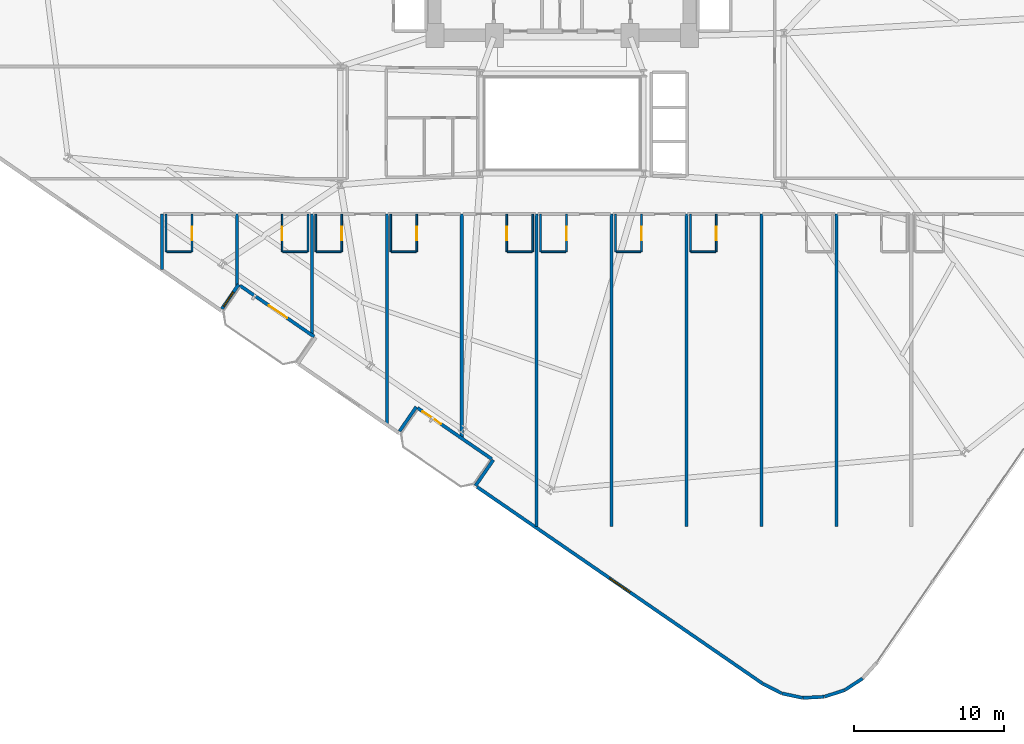
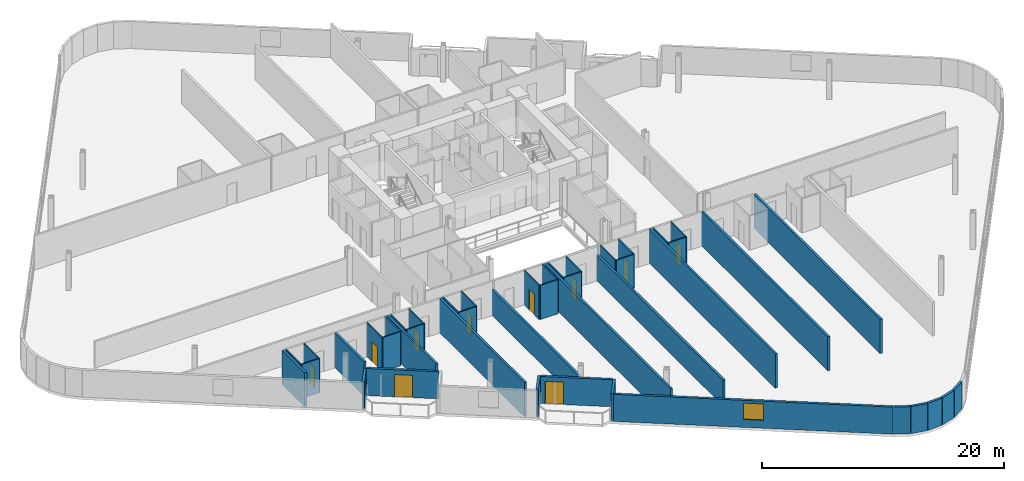
# One storey, part 17 of 25: 45 walls, 10 doors, 2 windows, 12 openings.
"""IFC4 building model written with IfcOpenShell, lengths in metres."""

from ifc_helpers import new_model, si_unit, direction, frame, frame_2d, origin, place, context, subcontext, project, spatial, rectangle, extrude, material, layer, layer_set, type_object, element, fill, save


model = new_model("IFC4")

# Units and contexts
model_context = context("Model", 3, precision=1e-05, world=origin(), true_north=direction((0.0, 1.0)))
body_context = subcontext(model_context, "Body", "Model", "MODEL_VIEW")
ifc_project = project(units=[si_unit("LENGTHUNIT", "METRE"), si_unit("AREAUNIT", "SQUARE_METRE"), si_unit("VOLUMEUNIT", "CUBIC_METRE"), si_unit("PLANEANGLEUNIT", "RADIAN"), si_unit("MASSUNIT", "GRAM", prefix="KILO")], contexts=[model_context])

# Site, building, storey
site_placement = place(None, origin())
site = spatial("IfcSite", under=ifc_project, at=site_placement, CompositionType="ELEMENT")
building_placement = place(site_placement, origin())
building = spatial("IfcBuilding", under=site, at=building_placement, Name="Varnelok Gate Tower", CompositionType="ELEMENT")
storey_placement = place(building_placement, frame((0.0, 0.0, 34.39990234375)))
storey = spatial("IfcBuildingStorey", under=building, at=storey_placement, Name="L07", CompositionType="ELEMENT", Elevation=34.39990234375)

# Wall, opening, door
ifc_material_1 = material(Name="Concrete C45/55", Category="concrete")
ifc_layer_1 = layer(ifc_material_1, 0.219970703125)
ifc_layer_set_1 = layer_set([ifc_layer_1], Name="Concrete C45/55")
wall_type_1 = type_object("IfcWallType", Name="EW-BALC-220", PredefinedType="SOLIDWALL", material=ifc_layer_set_1)
wall_1_placement = place(storey_placement, frame((22.642822265625, 8.667236328125, 0.0), z_axis=(0.0, 0.0, 1.0), x_axis=(-0.823534636215, 0.567265989598, 0.0)))
wall_1 = element("IfcWall", 1, at=wall_1_placement, inside=storey, type_object=wall_type_1, Name="L07 South Terrace Envelope Wall 1", PredefinedType="SOLIDWALL", context=body_context, shape_type="SweptSolid", body=[
    extrude(rectangle(XDim=6.0, YDim=0.219970703125, at=frame_2d((3.0, 0.0))), origin(), (0.0, 0.0, 1.0), 2.72998046875),
])
opening_1_placement = place(wall_1_placement, frame((2.176025390625, 0.0, 0.0)))
opening_1 = element("IfcOpeningElement", 2, at=opening_1_placement, cuts=wall_1, Name="Opening BD-1", PredefinedType="OPENING", context=body_context, shape_type="SweptSolid", body=[
    extrude(rectangle(XDim=1.5, YDim=2.25, at=frame_2d((0.75, 1.125))), frame((0.0, 0.119873046875, 0.0), z_axis=(0.0, -1.0, 0.0), x_axis=(1.0, 0.0, 0.0)), (0.0, 0.0, 1.0), 0.239990234375),
])
ifc_material_2 = material(Name="Anodized Aluminum Alloy 6063-T6", Category="aluminium")
door_type_1 = type_object("IfcDoorType", Name="DR-EXT-BALC1500", OperationType="NOTDEFINED", PredefinedType="DOOR", material=ifc_material_2)
door_1_placement = place(opening_1_placement, origin())
door_1 = element("IfcDoor", 3, at=door_1_placement, inside=storey, type_object=door_type_1, Name="L07 South Balcony Glazed Door 1", OperationType="SINGLE_SWING_RIGHT", OverallHeight=2.25, OverallWidth=1.5, PredefinedType="DOOR", context=body_context, shape_type="SweptSolid", body=[
    extrude(rectangle(XDim=1.5, YDim=2.25, at=frame_2d((0.75, 1.125))), frame((0.0, 0.02490234375, 0.0), z_axis=(0.0, -1.0, 0.0), x_axis=(1.0, 0.0, 0.0)), (0.0, 0.0, 1.0), 0.050048828125),
])
fill(opening_1, door_1)

wall_2_placement = place(storey_placement, frame((34.501708984375, 0.49853515625, 0.0), z_axis=(0.0, 0.0, 1.0), x_axis=(-0.823534636215, 0.567265989598, 0.0)))
wall_2 = element("IfcWall", 4, at=wall_2_placement, inside=storey, type_object=wall_type_1, Name="L07 South Terrace Envelope Wall 2", PredefinedType="SOLIDWALL", context=body_context, shape_type="SweptSolid", body=[
    extrude(rectangle(XDim=6.0, YDim=0.219970703125, at=frame_2d((3.0, 0.0))), origin(), (0.0, 0.0, 1.0), 2.72998046875),
])
opening_2_placement = place(wall_2_placement, frame((4.10009765625, 0.0, 0.0)))
opening_2 = element("IfcOpeningElement", 5, at=opening_2_placement, cuts=wall_2, Name="Opening BD-1", PredefinedType="OPENING", context=body_context, shape_type="SweptSolid", body=[
    extrude(rectangle(XDim=1.5, YDim=2.25, at=frame_2d((0.75, 1.125))), frame((0.0, 0.119873046875, 0.0), z_axis=(0.0, -1.0, 0.0), x_axis=(1.0, 0.0, 0.0)), (0.0, 0.0, 1.0), 0.239990234375),
])
door_2_placement = place(opening_2_placement, origin())
door_2 = element("IfcDoor", 6, at=door_2_placement, inside=storey, type_object=door_type_1, Name="L07 South Balcony Glazed Door 2", OperationType="SINGLE_SWING_LEFT", OverallHeight=2.25, OverallWidth=1.5, PredefinedType="DOOR", context=body_context, shape_type="SweptSolid", body=[
    extrude(rectangle(XDim=1.5, YDim=2.25, at=frame_2d((0.75, 1.125))), frame((0.0, 0.02490234375, 0.0), z_axis=(0.0, -1.0, 0.0), x_axis=(1.0, 0.0, 0.0)), (0.0, 0.0, 1.0), 0.050048828125),
])
fill(opening_2, door_2)

# Wall, opening, window
wall_3_placement = place(storey_placement, frame((16.48828125, 10.5205078125, 0.0), z_axis=(0.0, 0.0, 1.0), x_axis=(0.567131976434, 0.823626930902, 0.0)))
wall_3 = element("IfcWall", 7, at=wall_3_placement, inside=storey, type_object=wall_type_1, Name="L07 Perimeter Facade Closure Wall 8", PredefinedType="SOLIDWALL", context=body_context, shape_type="SweptSolid", body=[
    extrude(rectangle(XDim=1.97509765625, YDim=0.219970703125, at=frame_2d((0.987548828125, 0.0))), origin(), (0.0, 0.0, 1.0), 2.72998046875),
])
opening_3_placement = place(wall_3_placement, frame((0.199951171875, 0.0, 0.800048828125)))
opening_3 = element("IfcOpeningElement", 8, at=opening_3_placement, cuts=wall_3, Name="Opening WN8", PredefinedType="OPENING", context=body_context, shape_type="SweptSolid", body=[
    extrude(rectangle(XDim=1.14990234375, YDim=1.39990234375, at=frame_2d((0.574951171875, 0.699951171875))), frame((0.0, 0.119873046875, 0.0), z_axis=(0.0, -1.0, 0.0), x_axis=(1.0, 0.0, 0.0)), (0.0, 0.0, 1.0), 0.239990234375),
])
ifc_material_3 = material(Name="Low-E Laminated Double Glazing IGU", Category="glass")
window_type_1 = type_object("IfcWindowType", Name="WN-BED-1150", PartitioningType="SINGLE_PANEL", PredefinedType="WINDOW", material=ifc_material_3)
window_1_placement = place(opening_3_placement, origin())
window_1 = element("IfcWindow", 9, at=window_1_placement, inside=storey, type_object=window_type_1, Name="L07 Bedroom Vision Window 5", OverallHeight=1.39990234375, OverallWidth=1.14990234375, PartitioningType="SINGLE_PANEL", PredefinedType="WINDOW", context=body_context, shape_type="SweptSolid", body=[
    extrude(rectangle(XDim=1.14990234375, YDim=1.39990234375, at=frame_2d((0.574951171875, 0.699951171875))), frame((0.0, 0.030029296875, 0.0), z_axis=(0.0, -1.0, 0.0), x_axis=(1.0, 0.0, 0.0)), (0.0, 0.0, 1.0), 0.06005859375),
])
fill(opening_3, window_1)

# Walls
wall_4_placement = place(storey_placement, frame((28.34716796875, 2.351806640625, 0.0), z_axis=(0.0, 0.0, 1.0), x_axis=(0.567215821234, 0.823569190865, 0.0)))
element("IfcWall", 10, at=wall_4_placement, inside=storey, type_object=wall_type_1, Name="L07 Perimeter Facade Closure Wall 11", PredefinedType="SOLIDWALL", context=body_context, shape_type="SweptSolid", body=[
    extrude(rectangle(XDim=1.97509765625, YDim=0.219970703125, at=frame_2d((0.987548828125, 0.0))), origin(), (0.0, 0.0, 1.0), 2.72998046875),
])
wall_5_placement = place(storey_placement, frame((34.606201171875, 0.438720703125, 0.0), z_axis=(0.0, 0.0, 1.0), x_axis=(-0.567219383419, -0.823566737474, 0.0)))
element("IfcWall", 11, at=wall_5_placement, inside=storey, type_object=wall_type_1, Name="L07 Perimeter Facade Closure Wall 12", PredefinedType="SOLIDWALL", context=body_context, shape_type="SweptSolid", body=[
    extrude(rectangle(XDim=2.10009765625, YDim=0.219970703125, at=frame_2d((1.050048828125, 0.0))), origin(), (0.0, 0.0, 1.0), 2.72998046875),
])

# Wall, opening, window
wall_6_placement = place(storey_placement, frame((33.517822265625, -1.36181640625, 0.0), z_axis=(0.0, 0.0, 1.0), x_axis=(0.82353935489, -0.567259139148, 0.0)))
wall_6 = element("IfcWall", 12, at=wall_6_placement, inside=storey, type_object=wall_type_1, Name="L07 Perimeter Facade Closure Wall 13", PredefinedType="SOLIDWALL", context=body_context, shape_type="SweptSolid", body=[
    extrude(rectangle(XDim=23.14697265625, YDim=0.219970703125, at=frame_2d((11.573486328125, 0.0))), origin(), (0.0, 0.0, 1.0), 2.72998046875),
])
opening_4_placement = place(wall_6_placement, frame((10.74853515625, 0.0, 0.800048828125)))
opening_4 = element("IfcOpeningElement", 13, at=opening_4_placement, cuts=wall_6, Name="Opening WN3", PredefinedType="OPENING", context=body_context, shape_type="SweptSolid", body=[
    extrude(rectangle(XDim=1.64990234375, YDim=1.64990234375, at=frame_2d((0.824951171875, 0.824951171875))), frame((0.0, 0.119873046875, 0.0), z_axis=(0.0, -1.0, 0.0), x_axis=(1.0, 0.0, 0.0)), (0.0, 0.0, 1.0), 0.239990234375),
])
window_type_2 = type_object("IfcWindowType", Name="WN-HTL-1650", PartitioningType="SINGLE_PANEL", PredefinedType="WINDOW", material=ifc_material_3)
window_2_placement = place(opening_4_placement, origin())
window_2 = element("IfcWindow", 14, at=window_2_placement, inside=storey, type_object=window_type_2, Name="L07 Perimeter Vision Window 13", OverallHeight=1.64990234375, OverallWidth=1.64990234375, PartitioningType="SINGLE_PANEL", PredefinedType="WINDOW", context=body_context, shape_type="SweptSolid", body=[
    extrude(rectangle(XDim=1.64990234375, YDim=1.64990234375, at=frame_2d((0.824951171875, 0.824951171875))), frame((0.0, 0.030029296875, 0.0), z_axis=(0.0, -1.0, 0.0), x_axis=(1.0, 0.0, 0.0)), (0.0, 0.0, 1.0), 0.06005859375),
])
fill(opening_4, window_2)

# Walls
wall_7_placement = place(storey_placement, frame((52.602783203125, -14.503662109375, 0.0), z_axis=(0.0, 0.0, 1.0), x_axis=(0.89052335693, -0.45493752402, 0.0)))
element("IfcWall", 15, at=wall_7_placement, inside=storey, type_object=wall_type_1, Name="L07 Perimeter Facade Closure Wall 14", PredefinedType="SOLIDWALL", context=body_context, shape_type="SweptSolid", body=[
    extrude(rectangle(XDim=1.4130859375, YDim=0.219970703125, at=frame_2d((0.70654296875, 0.0))), origin(), (0.0, 0.0, 1.0), 2.72998046875),
])
for number, where, z_axis, x_axis, name in (
    (16, (53.8857421875, -15.15185546875, 0.0), (0.0, 0.0, 1.0), (0.977952168511, -0.208829011645, 0.0), "L07 Perimeter Facade Closure Wall 15"),
    (17, (55.284912109375, -15.444091796875, 0.0), (0.0, 0.0, 1.0), (0.998685611917, 0.051254741739, 0.0), "L07 Perimeter Facade Closure Wall 16"),
    (18, (56.712158203125, -15.364501953125, 0.0), (0.0, 0.0, 1.0), (0.95132472924, 0.308190297603, 0.0), "L07 Perimeter Facade Closure Wall 17"),
    (19, (58.070068359375, -14.91796875, 0.0), (0.0, 0.0, 1.0), (0.839248413468, 0.543748195851, 0.0), "L07 Perimeter Facade Closure Wall 18"),
):
    element("IfcWall", number, at=place(storey_placement, frame(where, z_axis=z_axis, x_axis=x_axis)), inside=storey, type_object=wall_type_1, Name=name, PredefinedType="SOLIDWALL", context=body_context, shape_type="SweptSolid", body=[
        extrude(rectangle(XDim=1.4052734375, YDim=0.219970703125, at=frame_2d((0.70263671875, 0.0))), origin(), (0.0, 0.0, 1.0), 2.72998046875),
    ])
ifc_material_4 = material(Name="Gypsum Plasterboard Acoustic Partition", Category="gypsum")
ifc_layer_2 = layer(ifc_material_4, 0.114990234375)
ifc_layer_set_2 = layer_set([ifc_layer_2], Name="Gypsum Plasterboard Acoustic Partition")
wall_type_2 = type_object("IfcWallType", Name="PW-ENS-125", PredefinedType="PARTITIONING", material=ifc_layer_set_2)
wall_8_placement = place(storey_placement, frame((12.800048828125, 14.330078125, 0.0), z_axis=(0.0, 0.0, 1.0), x_axis=(1.0, 0.0, 0.0)))
element("IfcWall", 20, at=wall_8_placement, inside=storey, type_object=wall_type_2, Name="Interior Partition", PredefinedType="PARTITIONING", context=body_context, shape_type="SweptSolid", body=[
    extrude(rectangle(XDim=1.64990234375, YDim=0.114990234375, at=frame_2d((0.824951171875, 0.0))), origin(), (0.0, 0.0, 1.0), 3.4501953125),
])

# Wall, opening, door
wall_9_placement = place(storey_placement, frame((14.489990234375, 14.330078125, 0.0), z_axis=(0.0, 0.0, 1.0), x_axis=(0.0, 1.0, 0.0)))
wall_9 = element("IfcWall", 21, at=wall_9_placement, inside=storey, type_object=wall_type_2, Name="Interior Partition", PredefinedType="PARTITIONING", context=body_context, shape_type="SweptSolid", body=[
    extrude(rectangle(XDim=2.52001953125, YDim=0.114990234375, at=frame_2d((1.260009765625, 0.0))), origin(), (0.0, 0.0, 1.0), 3.4501953125),
])
opening_5_placement = place(wall_9_placement, frame((0.760009765625, 0.0, 0.0)))
opening_5 = element("IfcOpeningElement", 22, at=opening_5_placement, cuts=wall_9, Name="Opening D-WC", PredefinedType="OPENING", context=body_context, shape_type="SweptSolid", body=[
    extrude(rectangle(XDim=0.89990234375, YDim=2.050048828125, at=frame_2d((0.449951171875, 1.02490234375))), frame((0.0, 0.0673828125, 0.0), z_axis=(0.0, -1.0, 0.0), x_axis=(1.0, 0.0, 0.0)), (0.0, 0.0, 1.0), 0.135009765625),
])
ifc_material_5 = material(Name="Engineered Hardwood Timber", Category="wood")
door_type_2 = type_object("IfcDoorType", Name="DR-BATH-900", OperationType="NOTDEFINED", PredefinedType="DOOR", material=ifc_material_5)
door_3_placement = place(opening_5_placement, origin())
door_3 = element("IfcDoor", 23, at=door_3_placement, inside=storey, type_object=door_type_2, Name="L07 Guest En-Suite 02 Door", OperationType="SINGLE_SWING_LEFT", OverallHeight=2.050048828125, OverallWidth=0.89990234375, PredefinedType="DOOR", context=body_context, shape_type="SweptSolid", body=[
    extrude(rectangle(XDim=0.89990234375, YDim=2.050048828125, at=frame_2d((0.449951171875, 1.02490234375))), frame((0.0, 0.02490234375, 0.0), z_axis=(0.0, -1.0, 0.0), x_axis=(1.0, 0.0, 0.0)), (0.0, 0.0, 1.0), 0.050048828125),
])
fill(opening_5, door_3)

# Walls
wall_10_placement = place(storey_placement, frame((12.760009765625, 14.330078125, 0.0), z_axis=(0.0, 0.0, 1.0), x_axis=(0.0, 1.0, 0.0)))
element("IfcWall", 24, at=wall_10_placement, inside=storey, type_object=wall_type_2, Name="Interior Partition", PredefinedType="PARTITIONING", context=body_context, shape_type="SweptSolid", body=[
    extrude(rectangle(XDim=2.52001953125, YDim=0.114990234375, at=frame_2d((1.260009765625, 0.0))), origin(), (0.0, 0.0, 1.0), 3.4501953125),
])
wall_11_placement = place(storey_placement, frame((20.550048828125, 14.330078125, 0.0), z_axis=(0.0, 0.0, 1.0), x_axis=(1.0, 0.0, 0.0)))
element("IfcWall", 25, at=wall_11_placement, inside=storey, type_object=wall_type_2, Name="Interior Partition", PredefinedType="PARTITIONING", context=body_context, shape_type="SweptSolid", body=[
    extrude(rectangle(XDim=1.64990234375, YDim=0.114990234375, at=frame_2d((0.824951171875, 0.0))), origin(), (0.0, 0.0, 1.0), 3.4501953125),
])

# Wall, opening, door
wall_12_placement = place(storey_placement, frame((20.510009765625, 14.330078125, 0.0), z_axis=(0.0, 0.0, 1.0), x_axis=(0.0, 1.0, 0.0)))
wall_12 = element("IfcWall", 26, at=wall_12_placement, inside=storey, type_object=wall_type_2, Name="Interior Partition", PredefinedType="PARTITIONING", context=body_context, shape_type="SweptSolid", body=[
    extrude(rectangle(XDim=2.52001953125, YDim=0.114990234375, at=frame_2d((1.260009765625, 0.0))), origin(), (0.0, 0.0, 1.0), 3.4501953125),
])
opening_6_placement = place(wall_12_placement, frame((0.760009765625, 0.0, 0.0)))
opening_6 = element("IfcOpeningElement", 27, at=opening_6_placement, cuts=wall_12, Name="Opening D-WC", PredefinedType="OPENING", context=body_context, shape_type="SweptSolid", body=[
    extrude(rectangle(XDim=0.89990234375, YDim=2.050048828125, at=frame_2d((0.449951171875, 1.02490234375))), frame((0.0, 0.0673828125, 0.0), z_axis=(0.0, -1.0, 0.0), x_axis=(1.0, 0.0, 0.0)), (0.0, 0.0, 1.0), 0.135009765625),
])
door_4_placement = place(opening_6_placement, origin())
door_4 = element("IfcDoor", 28, at=door_4_placement, inside=storey, type_object=door_type_2, Name="L07 Guest En-Suite 03 Door", OperationType="SINGLE_SWING_RIGHT", OverallHeight=2.050048828125, OverallWidth=0.89990234375, PredefinedType="DOOR", context=body_context, shape_type="SweptSolid", body=[
    extrude(rectangle(XDim=0.89990234375, YDim=2.050048828125, at=frame_2d((0.449951171875, 1.02490234375))), frame((0.0, 0.02490234375, 0.0), z_axis=(0.0, -1.0, 0.0), x_axis=(1.0, 0.0, 0.0)), (0.0, 0.0, 1.0), 0.050048828125),
])
fill(opening_6, door_4)

# Walls
wall_13_placement = place(storey_placement, frame((22.239990234375, 14.330078125, 0.0), z_axis=(0.0, 0.0, 1.0), x_axis=(0.0, 1.0, 0.0)))
element("IfcWall", 29, at=wall_13_placement, inside=storey, type_object=wall_type_2, Name="Interior Partition", PredefinedType="PARTITIONING", context=body_context, shape_type="SweptSolid", body=[
    extrude(rectangle(XDim=2.52001953125, YDim=0.114990234375, at=frame_2d((1.260009765625, 0.0))), origin(), (0.0, 0.0, 1.0), 3.4501953125),
])
wall_14_placement = place(storey_placement, frame((22.800048828125, 14.330078125, 0.0), z_axis=(0.0, 0.0, 1.0), x_axis=(1.0, 0.0, 0.0)))
element("IfcWall", 30, at=wall_14_placement, inside=storey, type_object=wall_type_2, Name="Interior Partition", PredefinedType="PARTITIONING", context=body_context, shape_type="SweptSolid", body=[
    extrude(rectangle(XDim=1.64990234375, YDim=0.114990234375, at=frame_2d((0.824951171875, 0.0))), origin(), (0.0, 0.0, 1.0), 3.4501953125),
])

# Wall, opening, door
wall_15_placement = place(storey_placement, frame((24.489990234375, 14.330078125, 0.0), z_axis=(0.0, 0.0, 1.0), x_axis=(0.0, 1.0, 0.0)))
wall_15 = element("IfcWall", 31, at=wall_15_placement, inside=storey, type_object=wall_type_2, Name="Interior Partition", PredefinedType="PARTITIONING", context=body_context, shape_type="SweptSolid", body=[
    extrude(rectangle(XDim=2.52001953125, YDim=0.114990234375, at=frame_2d((1.260009765625, 0.0))), origin(), (0.0, 0.0, 1.0), 3.4501953125),
])
opening_7_placement = place(wall_15_placement, frame((0.760009765625, 0.0, 0.0)))
opening_7 = element("IfcOpeningElement", 32, at=opening_7_placement, cuts=wall_15, Name="Opening D-WC", PredefinedType="OPENING", context=body_context, shape_type="SweptSolid", body=[
    extrude(rectangle(XDim=0.89990234375, YDim=2.050048828125, at=frame_2d((0.449951171875, 1.02490234375))), frame((0.0, 0.0673828125, 0.0), z_axis=(0.0, -1.0, 0.0), x_axis=(1.0, 0.0, 0.0)), (0.0, 0.0, 1.0), 0.135009765625),
])
door_5_placement = place(opening_7_placement, origin())
door_5 = element("IfcDoor", 33, at=door_5_placement, inside=storey, type_object=door_type_2, Name="L07 Guest En-Suite 04 Door", OperationType="SINGLE_SWING_LEFT", OverallHeight=2.050048828125, OverallWidth=0.89990234375, PredefinedType="DOOR", context=body_context, shape_type="SweptSolid", body=[
    extrude(rectangle(XDim=0.89990234375, YDim=2.050048828125, at=frame_2d((0.449951171875, 1.02490234375))), frame((0.0, 0.02490234375, 0.0), z_axis=(0.0, -1.0, 0.0), x_axis=(1.0, 0.0, 0.0)), (0.0, 0.0, 1.0), 0.050048828125),
])
fill(opening_7, door_5)

# Walls
wall_16_placement = place(storey_placement, frame((22.760009765625, 14.330078125, 0.0), z_axis=(0.0, 0.0, 1.0), x_axis=(0.0, 1.0, 0.0)))
element("IfcWall", 34, at=wall_16_placement, inside=storey, type_object=wall_type_2, Name="Interior Partition", PredefinedType="PARTITIONING", context=body_context, shape_type="SweptSolid", body=[
    extrude(rectangle(XDim=2.52001953125, YDim=0.114990234375, at=frame_2d((1.260009765625, 0.0))), origin(), (0.0, 0.0, 1.0), 3.4501953125),
])
wall_17_placement = place(storey_placement, frame((27.800048828125, 14.330078125, 0.0), z_axis=(0.0, 0.0, 1.0), x_axis=(1.0, 0.0, 0.0)))
element("IfcWall", 35, at=wall_17_placement, inside=storey, type_object=wall_type_2, Name="Interior Partition", PredefinedType="PARTITIONING", context=body_context, shape_type="SweptSolid", body=[
    extrude(rectangle(XDim=1.64990234375, YDim=0.114990234375, at=frame_2d((0.824951171875, 0.0))), origin(), (0.0, 0.0, 1.0), 3.4501953125),
])

# Wall, opening, door
wall_18_placement = place(storey_placement, frame((29.489990234375, 14.330078125, 0.0), z_axis=(0.0, 0.0, 1.0), x_axis=(0.0, 1.0, 0.0)))
wall_18 = element("IfcWall", 36, at=wall_18_placement, inside=storey, type_object=wall_type_2, Name="Interior Partition", PredefinedType="PARTITIONING", context=body_context, shape_type="SweptSolid", body=[
    extrude(rectangle(XDim=2.52001953125, YDim=0.114990234375, at=frame_2d((1.260009765625, 0.0))), origin(), (0.0, 0.0, 1.0), 3.4501953125),
])
opening_8_placement = place(wall_18_placement, frame((0.760009765625, 0.0, 0.0)))
opening_8 = element("IfcOpeningElement", 37, at=opening_8_placement, cuts=wall_18, Name="Opening D-WC", PredefinedType="OPENING", context=body_context, shape_type="SweptSolid", body=[
    extrude(rectangle(XDim=0.89990234375, YDim=2.050048828125, at=frame_2d((0.449951171875, 1.02490234375))), frame((0.0, 0.0673828125, 0.0), z_axis=(0.0, -1.0, 0.0), x_axis=(1.0, 0.0, 0.0)), (0.0, 0.0, 1.0), 0.135009765625),
])
door_6_placement = place(opening_8_placement, origin())
door_6 = element("IfcDoor", 38, at=door_6_placement, inside=storey, type_object=door_type_2, Name="L07 Guest En-Suite 05 Door", OperationType="SINGLE_SWING_LEFT", OverallHeight=2.050048828125, OverallWidth=0.89990234375, PredefinedType="DOOR", context=body_context, shape_type="SweptSolid", body=[
    extrude(rectangle(XDim=0.89990234375, YDim=2.050048828125, at=frame_2d((0.449951171875, 1.02490234375))), frame((0.0, 0.02490234375, 0.0), z_axis=(0.0, -1.0, 0.0), x_axis=(1.0, 0.0, 0.0)), (0.0, 0.0, 1.0), 0.050048828125),
])
fill(opening_8, door_6)

# Walls
wall_19_placement = place(storey_placement, frame((27.760009765625, 14.330078125, 0.0), z_axis=(0.0, 0.0, 1.0), x_axis=(0.0, 1.0, 0.0)))
element("IfcWall", 39, at=wall_19_placement, inside=storey, type_object=wall_type_2, Name="Interior Partition", PredefinedType="PARTITIONING", context=body_context, shape_type="SweptSolid", body=[
    extrude(rectangle(XDim=2.52001953125, YDim=0.114990234375, at=frame_2d((1.260009765625, 0.0))), origin(), (0.0, 0.0, 1.0), 3.4501953125),
])
wall_20_placement = place(storey_placement, frame((35.550048828125, 14.330078125, 0.0), z_axis=(0.0, 0.0, 1.0), x_axis=(1.0, 0.0, 0.0)))
element("IfcWall", 40, at=wall_20_placement, inside=storey, type_object=wall_type_2, Name="Interior Partition", PredefinedType="PARTITIONING", context=body_context, shape_type="SweptSolid", body=[
    extrude(rectangle(XDim=1.64990234375, YDim=0.114990234375, at=frame_2d((0.824951171875, 0.0))), origin(), (0.0, 0.0, 1.0), 3.4501953125),
])

# Wall, opening, door
wall_21_placement = place(storey_placement, frame((35.510009765625, 14.330078125, 0.0), z_axis=(0.0, 0.0, 1.0), x_axis=(0.0, 1.0, 0.0)))
wall_21 = element("IfcWall", 41, at=wall_21_placement, inside=storey, type_object=wall_type_2, Name="Interior Partition", PredefinedType="PARTITIONING", context=body_context, shape_type="SweptSolid", body=[
    extrude(rectangle(XDim=2.52001953125, YDim=0.114990234375, at=frame_2d((1.260009765625, 0.0))), origin(), (0.0, 0.0, 1.0), 3.4501953125),
])
opening_9_placement = place(wall_21_placement, frame((0.760009765625, 0.0, 0.0)))
opening_9 = element("IfcOpeningElement", 42, at=opening_9_placement, cuts=wall_21, Name="Opening D-WC", PredefinedType="OPENING", context=body_context, shape_type="SweptSolid", body=[
    extrude(rectangle(XDim=0.89990234375, YDim=2.050048828125, at=frame_2d((0.449951171875, 1.02490234375))), frame((0.0, 0.0673828125, 0.0), z_axis=(0.0, -1.0, 0.0), x_axis=(1.0, 0.0, 0.0)), (0.0, 0.0, 1.0), 0.135009765625),
])
door_7_placement = place(opening_9_placement, origin())
door_7 = element("IfcDoor", 43, at=door_7_placement, inside=storey, type_object=door_type_2, Name="L07 Guest En-Suite 06 Door", OperationType="SINGLE_SWING_RIGHT", OverallHeight=2.050048828125, OverallWidth=0.89990234375, PredefinedType="DOOR", context=body_context, shape_type="SweptSolid", body=[
    extrude(rectangle(XDim=0.89990234375, YDim=2.050048828125, at=frame_2d((0.449951171875, 1.02490234375))), frame((0.0, 0.02490234375, 0.0), z_axis=(0.0, -1.0, 0.0), x_axis=(1.0, 0.0, 0.0)), (0.0, 0.0, 1.0), 0.050048828125),
])
fill(opening_9, door_7)

# Walls
wall_22_placement = place(storey_placement, frame((37.239990234375, 14.330078125, 0.0), z_axis=(0.0, 0.0, 1.0), x_axis=(0.0, 1.0, 0.0)))
element("IfcWall", 44, at=wall_22_placement, inside=storey, type_object=wall_type_2, Name="Interior Partition", PredefinedType="PARTITIONING", context=body_context, shape_type="SweptSolid", body=[
    extrude(rectangle(XDim=2.52001953125, YDim=0.114990234375, at=frame_2d((1.260009765625, 0.0))), origin(), (0.0, 0.0, 1.0), 3.4501953125),
])
wall_23_placement = place(storey_placement, frame((37.800048828125, 14.330078125, 0.0), z_axis=(0.0, 0.0, 1.0), x_axis=(1.0, 0.0, 0.0)))
element("IfcWall", 45, at=wall_23_placement, inside=storey, type_object=wall_type_2, Name="Interior Partition", PredefinedType="PARTITIONING", context=body_context, shape_type="SweptSolid", body=[
    extrude(rectangle(XDim=1.64990234375, YDim=0.114990234375, at=frame_2d((0.824951171875, 0.0))), origin(), (0.0, 0.0, 1.0), 3.4501953125),
])

# Wall, opening, door
wall_24_placement = place(storey_placement, frame((39.489990234375, 14.330078125, 0.0), z_axis=(0.0, 0.0, 1.0), x_axis=(0.0, 1.0, 0.0)))
wall_24 = element("IfcWall", 46, at=wall_24_placement, inside=storey, type_object=wall_type_2, Name="Interior Partition", PredefinedType="PARTITIONING", context=body_context, shape_type="SweptSolid", body=[
    extrude(rectangle(XDim=2.52001953125, YDim=0.114990234375, at=frame_2d((1.260009765625, 0.0))), origin(), (0.0, 0.0, 1.0), 3.4501953125),
])
opening_10_placement = place(wall_24_placement, frame((0.760009765625, 0.0, 0.0)))
opening_10 = element("IfcOpeningElement", 47, at=opening_10_placement, cuts=wall_24, Name="Opening D-WC", PredefinedType="OPENING", context=body_context, shape_type="SweptSolid", body=[
    extrude(rectangle(XDim=0.89990234375, YDim=2.050048828125, at=frame_2d((0.449951171875, 1.02490234375))), frame((0.0, 0.0673828125, 0.0), z_axis=(0.0, -1.0, 0.0), x_axis=(1.0, 0.0, 0.0)), (0.0, 0.0, 1.0), 0.135009765625),
])
door_8_placement = place(opening_10_placement, origin())
door_8 = element("IfcDoor", 48, at=door_8_placement, inside=storey, type_object=door_type_2, Name="L07 Guest En-Suite 07 Door", OperationType="SINGLE_SWING_LEFT", OverallHeight=2.050048828125, OverallWidth=0.89990234375, PredefinedType="DOOR", context=body_context, shape_type="SweptSolid", body=[
    extrude(rectangle(XDim=0.89990234375, YDim=2.050048828125, at=frame_2d((0.449951171875, 1.02490234375))), frame((0.0, 0.02490234375, 0.0), z_axis=(0.0, -1.0, 0.0), x_axis=(1.0, 0.0, 0.0)), (0.0, 0.0, 1.0), 0.050048828125),
])
fill(opening_10, door_8)

# Walls
wall_25_placement = place(storey_placement, frame((37.760009765625, 14.330078125, 0.0), z_axis=(0.0, 0.0, 1.0), x_axis=(0.0, 1.0, 0.0)))
element("IfcWall", 49, at=wall_25_placement, inside=storey, type_object=wall_type_2, Name="Interior Partition", PredefinedType="PARTITIONING", context=body_context, shape_type="SweptSolid", body=[
    extrude(rectangle(XDim=2.52001953125, YDim=0.114990234375, at=frame_2d((1.260009765625, 0.0))), origin(), (0.0, 0.0, 1.0), 3.4501953125),
])
wall_26_placement = place(storey_placement, frame((42.800048828125, 14.330078125, 0.0), z_axis=(0.0, 0.0, 1.0), x_axis=(1.0, 0.0, 0.0)))
element("IfcWall", 50, at=wall_26_placement, inside=storey, type_object=wall_type_2, Name="Interior Partition", PredefinedType="PARTITIONING", context=body_context, shape_type="SweptSolid", body=[
    extrude(rectangle(XDim=1.64990234375, YDim=0.114990234375, at=frame_2d((0.824951171875, 0.0))), origin(), (0.0, 0.0, 1.0), 3.4501953125),
])

# Wall, opening, door
wall_27_placement = place(storey_placement, frame((44.489990234375, 14.330078125, 0.0), z_axis=(0.0, 0.0, 1.0), x_axis=(0.0, 1.0, 0.0)))
wall_27 = element("IfcWall", 51, at=wall_27_placement, inside=storey, type_object=wall_type_2, Name="Interior Partition", PredefinedType="PARTITIONING", context=body_context, shape_type="SweptSolid", body=[
    extrude(rectangle(XDim=2.52001953125, YDim=0.114990234375, at=frame_2d((1.260009765625, 0.0))), origin(), (0.0, 0.0, 1.0), 3.4501953125),
])
opening_11_placement = place(wall_27_placement, frame((0.760009765625, 0.0, 0.0)))
opening_11 = element("IfcOpeningElement", 52, at=opening_11_placement, cuts=wall_27, Name="Opening D-WC", PredefinedType="OPENING", context=body_context, shape_type="SweptSolid", body=[
    extrude(rectangle(XDim=0.89990234375, YDim=2.050048828125, at=frame_2d((0.449951171875, 1.02490234375))), frame((0.0, 0.0673828125, 0.0), z_axis=(0.0, -1.0, 0.0), x_axis=(1.0, 0.0, 0.0)), (0.0, 0.0, 1.0), 0.135009765625),
])
door_9_placement = place(opening_11_placement, origin())
door_9 = element("IfcDoor", 53, at=door_9_placement, inside=storey, type_object=door_type_2, Name="L07 Guest En-Suite 08 Door", OperationType="SINGLE_SWING_LEFT", OverallHeight=2.050048828125, OverallWidth=0.89990234375, PredefinedType="DOOR", context=body_context, shape_type="SweptSolid", body=[
    extrude(rectangle(XDim=0.89990234375, YDim=2.050048828125, at=frame_2d((0.449951171875, 1.02490234375))), frame((0.0, 0.02490234375, 0.0), z_axis=(0.0, -1.0, 0.0), x_axis=(1.0, 0.0, 0.0)), (0.0, 0.0, 1.0), 0.050048828125),
])
fill(opening_11, door_9)

# Walls
wall_28_placement = place(storey_placement, frame((42.760009765625, 14.330078125, 0.0), z_axis=(0.0, 0.0, 1.0), x_axis=(0.0, 1.0, 0.0)))
element("IfcWall", 54, at=wall_28_placement, inside=storey, type_object=wall_type_2, Name="Interior Partition", PredefinedType="PARTITIONING", context=body_context, shape_type="SweptSolid", body=[
    extrude(rectangle(XDim=2.52001953125, YDim=0.114990234375, at=frame_2d((1.260009765625, 0.0))), origin(), (0.0, 0.0, 1.0), 3.4501953125),
])
wall_29_placement = place(storey_placement, frame((47.800048828125, 14.330078125, 0.0), z_axis=(0.0, 0.0, 1.0), x_axis=(1.0, 0.0, 0.0)))
element("IfcWall", 55, at=wall_29_placement, inside=storey, type_object=wall_type_2, Name="Interior Partition", PredefinedType="PARTITIONING", context=body_context, shape_type="SweptSolid", body=[
    extrude(rectangle(XDim=1.64990234375, YDim=0.114990234375, at=frame_2d((0.824951171875, 0.0))), origin(), (0.0, 0.0, 1.0), 3.4501953125),
])

# Wall, opening, door
wall_30_placement = place(storey_placement, frame((49.489990234375, 14.330078125, 0.0), z_axis=(0.0, 0.0, 1.0), x_axis=(0.0, 1.0, 0.0)))
wall_30 = element("IfcWall", 56, at=wall_30_placement, inside=storey, type_object=wall_type_2, Name="Interior Partition", PredefinedType="PARTITIONING", context=body_context, shape_type="SweptSolid", body=[
    extrude(rectangle(XDim=2.52001953125, YDim=0.114990234375, at=frame_2d((1.260009765625, 0.0))), origin(), (0.0, 0.0, 1.0), 3.4501953125),
])
opening_12_placement = place(wall_30_placement, frame((0.760009765625, 0.0, 0.0)))
opening_12 = element("IfcOpeningElement", 57, at=opening_12_placement, cuts=wall_30, Name="Opening D-WC", PredefinedType="OPENING", context=body_context, shape_type="SweptSolid", body=[
    extrude(rectangle(XDim=0.89990234375, YDim=2.050048828125, at=frame_2d((0.449951171875, 1.02490234375))), frame((0.0, 0.0673828125, 0.0), z_axis=(0.0, -1.0, 0.0), x_axis=(1.0, 0.0, 0.0)), (0.0, 0.0, 1.0), 0.135009765625),
])
door_10_placement = place(opening_12_placement, origin())
door_10 = element("IfcDoor", 58, at=door_10_placement, inside=storey, type_object=door_type_2, Name="L07 Guest En-Suite 09 Door", OperationType="SINGLE_SWING_LEFT", OverallHeight=2.050048828125, OverallWidth=0.89990234375, PredefinedType="DOOR", context=body_context, shape_type="SweptSolid", body=[
    extrude(rectangle(XDim=0.89990234375, YDim=2.050048828125, at=frame_2d((0.449951171875, 1.02490234375))), frame((0.0, 0.02490234375, 0.0), z_axis=(0.0, -1.0, 0.0), x_axis=(1.0, 0.0, 0.0)), (0.0, 0.0, 1.0), 0.050048828125),
])
fill(opening_12, door_10)

# Walls
wall_31_placement = place(storey_placement, frame((47.760009765625, 14.330078125, 0.0), z_axis=(0.0, 0.0, 1.0), x_axis=(0.0, 1.0, 0.0)))
element("IfcWall", 59, at=wall_31_placement, inside=storey, type_object=wall_type_2, Name="Interior Partition", PredefinedType="PARTITIONING", context=body_context, shape_type="SweptSolid", body=[
    extrude(rectangle(XDim=2.52001953125, YDim=0.114990234375, at=frame_2d((1.260009765625, 0.0))), origin(), (0.0, 0.0, 1.0), 3.4501953125),
])
ifc_layer_3 = layer(ifc_material_4, 0.205078125)
ifc_layer_set_3 = layer_set([ifc_layer_3], Name="Gypsum Plasterboard Acoustic Partition")
wall_type_3 = type_object("IfcWallType", Name="PW-PARTY-200", PredefinedType="PARTITIONING", material=ifc_layer_set_3)
wall_32_placement = place(storey_placement, frame((12.5, 13.140380859375, 0.0), z_axis=(0.0, 0.0, 1.0), x_axis=(0.0, 1.0, 0.0)))
element("IfcWall", 60, at=wall_32_placement, inside=storey, type_object=wall_type_3, Name="L07 South Party Wall 1", PredefinedType="PARTITIONING", context=body_context, shape_type="SweptSolid", body=[
    extrude(rectangle(XDim=3.709716796875, YDim=0.205078125, at=frame_2d((1.85498046875, 0.0))), origin(), (0.0, 0.0, 1.0), 3.4501953125),
])
wall_33_placement = place(storey_placement, frame((17.5, 12.02490234375, 0.0), z_axis=(0.0, 0.0, 1.0), x_axis=(0.0, 1.0, 0.0)))
element("IfcWall", 61, at=wall_33_placement, inside=storey, type_object=wall_type_3, Name="L07 South Party Wall 2", PredefinedType="PARTITIONING", context=body_context, shape_type="SweptSolid", body=[
    extrude(rectangle(XDim=4.8251953125, YDim=0.205078125, at=frame_2d((2.41259765625, 0.0))), origin(), (0.0, 0.0, 1.0), 3.4501953125),
])
wall_34_placement = place(storey_placement, frame((22.5, 8.802001953125, 0.0), z_axis=(0.0, 0.0, 1.0), x_axis=(0.0, 1.0, 0.0)))
element("IfcWall", 62, at=wall_34_placement, inside=storey, type_object=wall_type_3, Name="L07 South Party Wall 3", PredefinedType="PARTITIONING", context=body_context, shape_type="SweptSolid", body=[
    extrude(rectangle(XDim=8.048095703125, YDim=0.205078125, at=frame_2d((4.02392578125, 0.0))), origin(), (0.0, 0.0, 1.0), 3.4501953125),
])
wall_35_placement = place(storey_placement, frame((27.5, 2.807861328125, 0.0), z_axis=(0.0, 0.0, 1.0), x_axis=(0.0, 1.0, 0.0)))
element("IfcWall", 63, at=wall_35_placement, inside=storey, type_object=wall_type_3, Name="L07 South Party Wall 4", PredefinedType="PARTITIONING", context=body_context, shape_type="SweptSolid", body=[
    extrude(rectangle(XDim=14.042236328125, YDim=0.205078125, at=frame_2d((7.02099609375, 0.0))), origin(), (0.0, 0.0, 1.0), 3.4501953125),
])
wall_36_placement = place(storey_placement, frame((32.5, 1.913818359375, 0.0), z_axis=(0.0, 0.0, 1.0), x_axis=(0.0, 1.0, 0.0)))
element("IfcWall", 64, at=wall_36_placement, inside=storey, type_object=wall_type_3, Name="L07 South Party Wall 5", PredefinedType="PARTITIONING", context=body_context, shape_type="SweptSolid", body=[
    extrude(rectangle(XDim=14.936279296875, YDim=0.205078125, at=frame_2d((7.46826171875, 0.0))), origin(), (0.0, 0.0, 1.0), 2.580078125),
])
wall_37_placement = place(storey_placement, frame((37.5, -4.0, 0.0), z_axis=(0.0, 0.0, 1.0), x_axis=(0.0, 1.0, 0.0)))
element("IfcWall", 65, at=wall_37_placement, inside=storey, type_object=wall_type_3, Name="L07 South Party Wall 6", PredefinedType="PARTITIONING", context=body_context, shape_type="SweptSolid", body=[
    extrude(rectangle(XDim=20.85009765625, YDim=0.205078125, at=frame_2d((10.425048828125, 0.0))), origin(), (0.0, 0.0, 1.0), 3.4501953125),
])
wall_38_placement = place(storey_placement, frame((42.5, -4.0, 0.0), z_axis=(0.0, 0.0, 1.0), x_axis=(0.0, 1.0, 0.0)))
element("IfcWall", 66, at=wall_38_placement, inside=storey, type_object=wall_type_3, Name="L07 South Party Wall 7", PredefinedType="PARTITIONING", context=body_context, shape_type="SweptSolid", body=[
    extrude(rectangle(XDim=20.85009765625, YDim=0.205078125, at=frame_2d((10.425048828125, 0.0))), origin(), (0.0, 0.0, 1.0), 2.580078125),
])
for number, where, z_axis, x_axis, name in (
    (67, (47.5, -4.0, 0.0), (0.0, 0.0, 1.0), (0.0, 1.0, 0.0), "L07 South Party Wall 8"),
    (68, (52.5, -4.0, 0.0), (0.0, 0.0, 1.0), (0.0, 1.0, 0.0), "L07 South Party Wall 9"),
    (69, (57.5, -4.0, 0.0), (0.0, 0.0, 1.0), (0.0, 1.0, 0.0), "L07 South Party Wall 10"),
):
    element("IfcWall", number, at=place(storey_placement, frame(where, z_axis=z_axis, x_axis=x_axis)), inside=storey, type_object=wall_type_3, Name=name, PredefinedType="PARTITIONING", context=body_context, shape_type="SweptSolid", body=[
        extrude(rectangle(XDim=20.85009765625, YDim=0.205078125, at=frame_2d((10.425048828125, 0.0))), origin(), (0.0, 0.0, 1.0), 3.4501953125),
    ])

save(model, "model.ifc")
